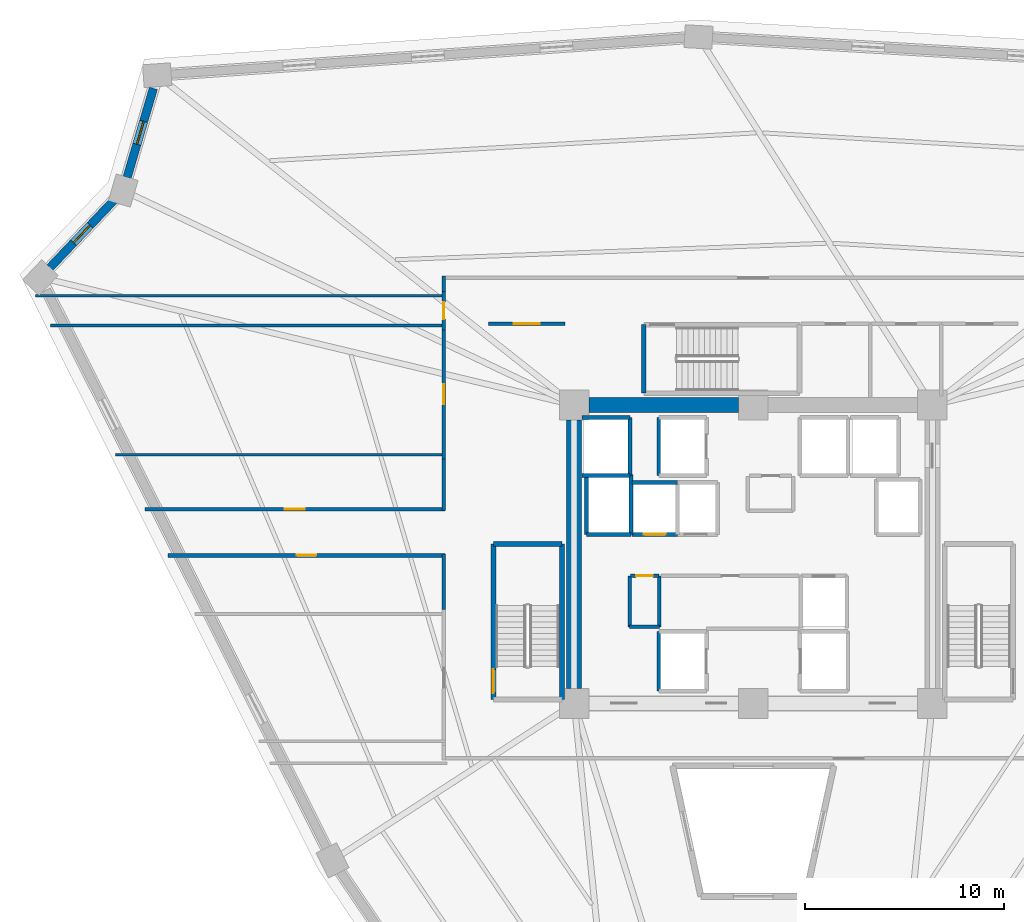
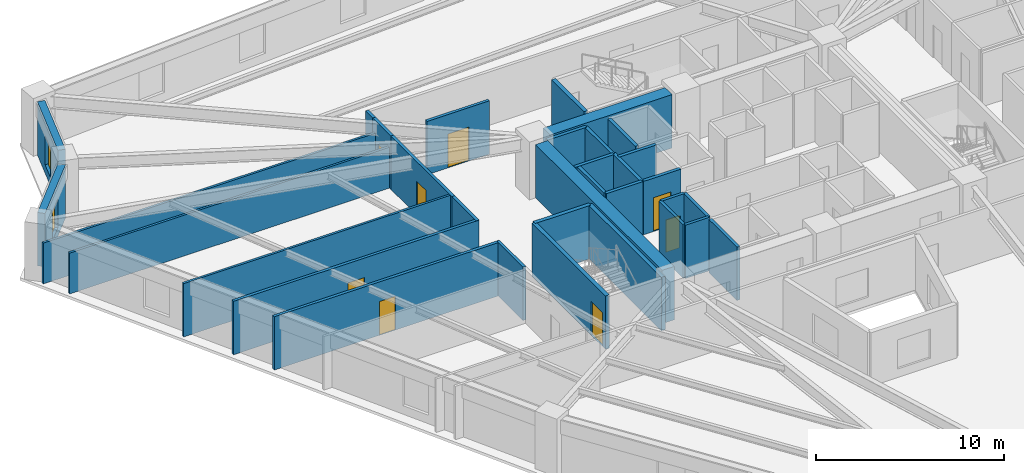
# One storey, part 4 of 8: 33 walls, 8 doors, 2 windows, 10 openings.
"""IFC4 building model written with IfcOpenShell, lengths in metres."""

import ifcopenshell
import ifcopenshell.guid

model = None  # the IFC model being written
_history = None  # IfcOwnerHistory: only IFC2X3 demands one
_inside = {}  # id of a spatial element -> (the spatial element, [elements in it])
_under = {}  # id of a project, library or spatial element -> (it, [spatial elements below it])
_declared = {}  # id of a project -> (the project, [libraries it declares])
_typed = {}  # id of a type object -> (the type object, [elements of that type])
_made_of = {}  # id of a material, layer set ... -> (it, [elements and type objects made of it])


def new_model(schema):
    """Start an empty IFC model of exactly this schema.

    Asked for "IFC4X3", IfcOpenShell would pick the latest addendum, in which some entities
    have other attributes; the version numbers below select the first issue.
    IFC2X3 requires an IfcOwnerHistory on every rooted entity: one is made here for all.
    """
    global model, _history
    if schema == "IFC4X3":
        model = ifcopenshell.file(schema_version=(4, 3, 0, 0))
    else:
        model = ifcopenshell.file(schema=schema)
    _inside.clear()
    _under.clear()
    _declared.clear()
    _typed.clear()
    _made_of.clear()
    _history = None
    if model.schema == "IFC2X3":
        org = make("IfcOrganization", Name="unknown")
        user = make(
            "IfcPersonAndOrganization",
            ThePerson=make("IfcPerson", FamilyName="unknown"),
            TheOrganization=org,
        )
        app = make(
            "IfcApplication",
            ApplicationDeveloper=org,
            Version="unknown",
            ApplicationFullName="unknown",
            ApplicationIdentifier="unknown",
        )
        _history = make(
            "IfcOwnerHistory",
            OwningUser=user,
            OwningApplication=app,
            ChangeAction="ADDED",
            CreationDate=0,
        )
    return model


def make(cls, **values):
    """One entity of the class cls with the attributes given. An attribute that is None is left unset."""
    return model.create_entity(
        cls, **{name: value for name, value in values.items() if value is not None}
    )


def rooted(cls, **values):
    """An entity with a GlobalId (a new one), such as an element, a storey or a relation."""
    return make(cls, GlobalId=ifcopenshell.guid.new(), OwnerHistory=_history, **values)


def si_unit(unit_type, name, prefix=None):
    """IfcSIUnit, for example si_unit("LENGTHUNIT", "METRE", prefix="MILLI")."""
    return make("IfcSIUnit", UnitType=unit_type, Prefix=prefix, Name=name)


def assignment(units):
    """IfcUnitAssignment: the units of a project."""
    return None if units is None else make("IfcUnitAssignment", Units=units)


def point(xyz):
    """IfcCartesianPoint."""
    return None if xyz is None else make("IfcCartesianPoint", Coordinates=xyz)


def direction(xyz):
    """IfcDirection."""
    return None if xyz is None else make("IfcDirection", DirectionRatios=xyz)


def frame(location, z_axis=None, x_axis=None):
    """IfcAxis2Placement3D, a coordinate frame: its origin and axes. An axis left out is left unset."""
    return make(
        "IfcAxis2Placement3D",
        Location=point(location),
        Axis=direction(z_axis),
        RefDirection=direction(x_axis),
    )


def frame_2d(location, x_axis=None):
    """IfcAxis2Placement2D, a coordinate frame in the plane: its origin and x axis."""
    return make(
        "IfcAxis2Placement2D", Location=point(location), RefDirection=direction(x_axis)
    )


def origin():
    """The frame at (0, 0, 0) with its axes left unset."""
    return frame((0.0, 0.0, 0.0))


def place(relative_to, where):
    """IfcLocalPlacement: puts the frame where relative to a parent placement (None: the world)."""
    return make(
        "IfcLocalPlacement", PlacementRelTo=relative_to, RelativePlacement=where
    )


def context(
    kind, dimensions, precision=None, world=None, true_north=None, identifier=None
):
    """IfcGeometricRepresentationContext, for example the 3D "Model" context."""
    return make(
        "IfcGeometricRepresentationContext",
        ContextIdentifier=identifier,
        ContextType=kind,
        CoordinateSpaceDimension=dimensions,
        Precision=precision,
        WorldCoordinateSystem=world,
        TrueNorth=true_north,
    )


def subcontext(parent, identifier, kind, view, scale=None):
    """IfcGeometricRepresentationSubContext, for example "Body" below "Model"."""
    return make(
        "IfcGeometricRepresentationSubContext",
        ContextIdentifier=identifier,
        ContextType=kind,
        ParentContext=parent,
        TargetScale=scale,
        TargetView=view,
    )


def project(units=None, contexts=None):
    """IfcProject with its units and contexts."""
    return rooted(
        "IfcProject",
        Name="project",
        RepresentationContexts=contexts,
        UnitsInContext=assignment(units),
    )


def spatial(cls, under=None, at=None, **own):
    """A site, building, storey or space (cls), placed at a placement, below another one or the project."""
    s = rooted(cls, ObjectPlacement=at, **own)
    if under is not None:
        _under.setdefault(under.id(), (under, []))[1].append(s)
    return s


def profile(cls, at=None, kind="AREA", **sizes):
    """A parametric profile (cls). Its sizes go by their IFC names, for example OverallWidth=200.0."""
    return make(cls, ProfileType=kind, Position=at, **sizes)


def rectangle(**sizes):
    """IfcRectangleProfileDef."""
    return profile("IfcRectangleProfileDef", **sizes)


def extrude(swept, where, along, depth):
    """IfcExtrudedAreaSolid: the profile swept, set in the frame where, extruded along a direction by depth."""
    return make(
        "IfcExtrudedAreaSolid",
        SweptArea=swept,
        Position=where,
        ExtrudedDirection=direction(along),
        Depth=depth,
    )


def shape(context_of_items, identifier, shape_type, items):
    """IfcShapeRepresentation: the items that make up one representation, for example the "Body"."""
    return make(
        "IfcShapeRepresentation",
        ContextOfItems=context_of_items,
        RepresentationIdentifier=identifier,
        RepresentationType=shape_type,
        Items=items,
    )


def source(mapping_origin, context_of_items, identifier, shape_type, items):
    """IfcRepresentationMap: a shape defined once, which mapped items show again and again."""
    return make(
        "IfcRepresentationMap",
        MappingOrigin=mapping_origin,
        MappedRepresentation=shape(context_of_items, identifier, shape_type, items),
    )


def transform(
    local_origin,
    x_axis=None,
    y_axis=None,
    z_axis=None,
    scale=None,
    scale2=None,
    scale3=None,
    uniform=True,
):
    """IfcCartesianTransformationOperator3D, or its non-uniform kind. x_axis, y_axis, z_axis: its Axis1, 2, 3."""
    if uniform:
        return make(
            "IfcCartesianTransformationOperator3D",
            Axis1=direction(x_axis),
            Axis2=direction(y_axis),
            LocalOrigin=point(local_origin),
            Scale=scale,
            Axis3=direction(z_axis),
        )
    return make(
        "IfcCartesianTransformationOperator3DnonUniform",
        Axis1=direction(x_axis),
        Axis2=direction(y_axis),
        LocalOrigin=point(local_origin),
        Scale=scale,
        Axis3=direction(z_axis),
        Scale2=scale2,
        Scale3=scale3,
    )


def mapped(mapping_source, mapping_target):
    """IfcMappedItem: shows the shape of a source again, moved by a transform."""
    return make(
        "IfcMappedItem", MappingSource=mapping_source, MappingTarget=mapping_target
    )


def material(Name=None, Category=None):
    """IfcMaterial."""
    return make("IfcMaterial", Name=Name, Category=Category)


def layer(
    of_material, thickness, ventilated=None, Name=None, Category=None, Priority=None
):
    """IfcMaterialLayer: one layer of a wall or slab, of a material (None: an air gap)."""
    return make(
        "IfcMaterialLayer",
        Material=of_material,
        LayerThickness=thickness,
        IsVentilated=ventilated,
        Name=Name,
        Category=Category,
        Priority=Priority,
    )


def layer_set(layers, Name=None):
    """IfcMaterialLayerSet."""
    return make("IfcMaterialLayerSet", MaterialLayers=layers, LayerSetName=Name)


def made_of(thing, what):
    """Note that an element or type object is made of a material, layer set ...; save() writes the relation."""
    if what is not None:
        _made_of.setdefault(what.id(), (what, []))[1].append(thing)
    return thing


def type_object(cls, material=None, **own):
    """A type object (cls), such as IfcWallType, which elements share."""
    return made_of(rooted(cls, **own), material)


def element(
    cls,
    number,
    at=None,
    inside=None,
    cuts=None,
    type_object=None,
    material=None,
    context=None,
    identifier="Body",
    shape_type=None,
    held_by="IfcProductDefinitionShape",
    body=None,
    shapes=None,
    **own,
):
    """One element of the class cls, such as IfcWall. Its Tag is "e" and its number.

    at: its placement. inside: the storey or other place that contains it. cuts: it is an
    opening in that element (IfcRelVoidsElement). A single representation is given by context,
    identifier, shape_type and body (its items); several are given by shapes. held_by: the class
    of the entity that holds the representations. save() writes the other relations.
    """
    e = rooted(cls, Tag="e%d" % number, ObjectPlacement=at, **own)
    if body is not None:
        shapes = [shape(context, identifier, shape_type, body)]
    if shapes is not None:
        e.Representation = make(held_by, Representations=shapes)
    if inside is not None:
        _inside.setdefault(inside.id(), (inside, []))[1].append(e)
    if cuts is not None:
        rooted(
            "IfcRelVoidsElement", RelatingBuildingElement=cuts, RelatedOpeningElement=e
        )
    if type_object is not None:
        _typed.setdefault(type_object.id(), (type_object, []))[1].append(e)
    return made_of(e, material)


def fill(opening, filler):
    """IfcRelFillsElement: the door or window that sits in an opening."""
    return rooted(
        "IfcRelFillsElement",
        RelatingOpeningElement=opening,
        RelatedBuildingElement=filler,
    )


def aggregate(whole, parts):
    """IfcRelAggregates: a whole, such as a stair, and the parts it consists of."""
    return rooted("IfcRelAggregates", RelatingObject=whole, RelatedObjects=parts)


def save(model, path):
    """Write the relations noted so far, then the file.

    IfcRelAggregates (storeys below a building ...), IfcRelContainedInSpatialStructure (elements
    in a storey), IfcRelDefinesByType, IfcRelAssociatesMaterial and IfcRelDeclares: one each for
    every whole, place, type object, material and project.
    """
    for whole, parts in _under.values():
        aggregate(whole, parts)
    for where, things in _inside.values():
        rooted(
            "IfcRelContainedInSpatialStructure",
            RelatedElements=things,
            RelatingStructure=where,
        )
    for kind, things in _typed.values():
        rooted("IfcRelDefinesByType", RelatedObjects=things, RelatingType=kind)
    for what, things in _made_of.values():
        rooted("IfcRelAssociatesMaterial", RelatedObjects=things, RelatingMaterial=what)
    for by, libraries in _declared.values():
        rooted("IfcRelDeclares", RelatingContext=by, RelatedDefinitions=libraries)
    model.write(path)


model = new_model("IFC4")

# Units and contexts
model_context = context("Model", 3, precision=1e-05, world=origin(), true_north=direction((0.0, 1.0)))
body_context = subcontext(model_context, "Body", "Model", "MODEL_VIEW")
ifc_project = project(units=[si_unit("LENGTHUNIT", "METRE"), si_unit("AREAUNIT", "SQUARE_METRE"), si_unit("VOLUMEUNIT", "CUBIC_METRE"), si_unit("PLANEANGLEUNIT", "RADIAN"), si_unit("MASSUNIT", "GRAM", prefix="KILO")], contexts=[model_context])

# Site, building, storey
site_placement = place(None, origin())
site = spatial("IfcSite", under=ifc_project, at=site_placement, CompositionType="ELEMENT")
building_placement = place(site_placement, origin())
building = spatial("IfcBuilding", under=site, at=building_placement, Name="Liaohun Quay Tower", CompositionType="ELEMENT")
storey_placement = place(building_placement, frame((0.0, 0.0, 135.75)))
storey = spatial("IfcBuildingStorey", under=building, at=storey_placement, Name="L35", CompositionType="ELEMENT", Elevation=135.75)

# Walls
ifc_material_1 = material(Name="Concrete C60", Category="concrete")
ifc_layer_1 = layer(ifc_material_1, 0.75, Name="Concrete C60", Category="concrete")
ifc_layer_set_1 = layer_set([ifc_layer_1], Name="Concrete C60")
wall_type_1 = type_object("IfcWallType", Name="WAL-COR-Z2", PredefinedType="SHEAR", material=ifc_layer_set_1)
wall_1_placement = place(storey_placement, frame((51.75, 61.5, 0.0), z_axis=(0.0, 0.0, 1.0), x_axis=(1.0, 0.0, 0.0)))
element("IfcWall", 1, at=wall_1_placement, inside=storey, type_object=wall_type_1, Name="L35 Central Core Shear Wall N-W", PredefinedType="SHEAR", context=body_context, shape_type="SweptSolid", body=[
    extrude(rectangle(XDim=7.5, YDim=0.75, at=frame_2d((3.75, 0.0))), origin(), (0.0, 0.0, 1.0), 3.469970703125),
])
wall_2_placement = place(storey_placement, frame((51.0, 47.25, 0.0), z_axis=(0.0, 0.0, 1.0), x_axis=(0.0, 1.0, 0.0)))
element("IfcWall", 2, at=wall_2_placement, inside=storey, type_object=wall_type_1, Name="L35 Central Core Shear Wall W", PredefinedType="SHEAR", context=body_context, shape_type="SweptSolid", body=[
    extrude(rectangle(XDim=13.5, YDim=0.75, at=frame_2d((6.75, 0.0))), origin(), (0.0, 0.0, 1.0), 3.469970703125),
])

# Wall, opening, window
ifc_material_2 = material(Name="Precast concrete C50 insulated sandwich", Category="concrete")
ifc_layer_2 = layer(ifc_material_2, 0.419921875, Name="Precast concrete C50 insulated sandwich", Category="concrete")
ifc_layer_set_2 = layer_set([ifc_layer_2], Name="Precast concrete C50 insulated sandwich")
wall_type_2 = type_object("IfcWallType", Name="WAL-EXT-Z12", PredefinedType="SOLIDWALL", material=ifc_layer_set_2)
wall_3_placement = place(storey_placement, frame((29.847900390625, 77.419921875, 0.0), z_axis=(0.0, 0.0, 1.0), x_axis=(-0.28289435884, -0.959151073469, 0.0)))
wall_3 = element("IfcWall", 3, at=wall_3_placement, inside=storey, type_object=wall_type_2, Name="L35 Brutalist Precast Pier Wall 08", PredefinedType="SOLIDWALL", context=body_context, shape_type="SweptSolid", body=[
    extrude(rectangle(XDim=4.66552734375, YDim=0.419921875, at=frame_2d((2.332763671875, 0.0))), origin(), (0.0, 0.0, 1.0), 3.469970703125),
])
shared_shape_1 = source(origin(), body_context, "Body", "SweptSolid", [
    extrude(rectangle(XDim=1.199951171875, YDim=1.89990234375, at=frame_2d((0.60009765625, 0.949951171875))), frame((0.0, 0.219970703125, 0.0), z_axis=(0.0, -1.0, 0.0), x_axis=(1.0, 0.0, 0.0)), (0.0, 0.0, 1.0), 0.43994140625),
])
opening_1_placement = place(wall_3_placement, frame((1.73291015625, 0.0, 0.550048828125)))
opening_1 = element("IfcOpeningElement", 4, at=opening_1_placement, cuts=wall_3, Name="Opening W05", PredefinedType="OPENING", context=body_context, shape_type="MappedRepresentation", body=[
    mapped(shared_shape_1, transform((0.0, 0.0, 0.0), x_axis=(1.0, 0.0, 0.0), y_axis=(0.0, 1.0, 0.0), z_axis=(0.0, 0.0, 1.0), scale=1.0)),
])
ifc_material_3 = material(Name="Triple Low-E corner notch glazing", Category="glass")
window_type = type_object("IfcWindowType", Name="WIN-NOTCH", PartitioningType="SINGLE_PANEL", PredefinedType="WINDOW", material=ifc_material_3)
shared_shape_2 = source(origin(), body_context, "Body", "SweptSolid", [
    extrude(rectangle(XDim=1.199951171875, YDim=1.89990234375, at=frame_2d((0.60009765625, 0.949951171875))), frame((0.0, 0.030029296875, 0.0), z_axis=(0.0, -1.0, 0.0), x_axis=(1.0, 0.0, 0.0)), (0.0, 0.0, 1.0), 0.06005859375),
])
window_1_placement = place(opening_1_placement, origin())
window_1 = element("IfcWindow", 5, at=window_1_placement, inside=storey, type_object=window_type, Name="L35 Corner Notch Window W05-08", OverallHeight=1.89990234375, OverallWidth=1.199951171875, PartitioningType="SINGLE_PANEL", PredefinedType="WINDOW", context=body_context, shape_type="MappedRepresentation", body=[
    mapped(shared_shape_2, transform((0.0, 0.0, 0.0), x_axis=(1.0, 0.0, 0.0), y_axis=(0.0, 1.0, 0.0), z_axis=(0.0, 0.0, 1.0), scale=1.0)),
])
fill(opening_1, window_1)

wall_4_placement = place(storey_placement, frame((27.85693359375, 71.782958984375, 0.0), z_axis=(0.0, 0.0, 1.0), x_axis=(-0.689272835026, -0.72450186949, 0.0)))
wall_4 = element("IfcWall", 6, at=wall_4_placement, inside=storey, type_object=wall_type_2, Name="L35 Brutalist Precast Pier Wall 09", PredefinedType="SOLIDWALL", context=body_context, shape_type="SweptSolid", body=[
    extrude(rectangle(XDim=4.656982421875, YDim=0.419921875, at=frame_2d((2.32861328125, 0.0))), origin(), (0.0, 0.0, 1.0), 3.469970703125),
])
opening_2_placement = place(wall_4_placement, frame((1.72900390625, 0.0, 0.550048828125)))
opening_2 = element("IfcOpeningElement", 7, at=opening_2_placement, cuts=wall_4, Name="Opening W05", PredefinedType="OPENING", context=body_context, shape_type="MappedRepresentation", body=[
    mapped(shared_shape_1, transform((0.0, 0.0, 0.0), x_axis=(1.0, 0.0, 0.0), y_axis=(0.0, 1.0, 0.0), z_axis=(0.0, 0.0, 1.0), scale=1.0)),
])
window_2_placement = place(opening_2_placement, origin())
window_2 = element("IfcWindow", 8, at=window_2_placement, inside=storey, type_object=window_type, Name="L35 Corner Notch Window W05-09", OverallHeight=1.89990234375, OverallWidth=1.199951171875, PartitioningType="SINGLE_PANEL", PredefinedType="WINDOW", context=body_context, shape_type="MappedRepresentation", body=[
    mapped(shared_shape_2, transform((0.0, 0.0, 0.0), x_axis=(1.0, 0.0, 0.0), y_axis=(0.0, 1.0, 0.0), z_axis=(0.0, 0.0, 1.0), scale=1.0)),
])
fill(opening_2, window_2)

# Wall, opening, door
ifc_material_4 = material(Name="Autoclaved aerated concrete blockwork", Category="masonry")
ifc_layer_3 = layer(ifc_material_4, 0.179931640625, Name="Autoclaved aerated concrete blockwork", Category="masonry")
ifc_layer_set_3 = layer_set([ifc_layer_3], Name="Autoclaved aerated concrete blockwork")
wall_type_3 = type_object("IfcWallType", Name="WAL-PRT-COR", PredefinedType="PARTITIONING", material=ifc_layer_set_3)
wall_5_placement = place(storey_placement, frame((53.820068359375, 52.919921875, 0.0), z_axis=(0.0, 0.0, 1.0), x_axis=(1.0, 0.0, 0.0)))
wall_5 = element("IfcWall", 9, at=wall_5_placement, inside=storey, type_object=wall_type_3, Name="L35 Interior Partition Wall 003", PredefinedType="PARTITIONING", context=body_context, shape_type="SweptSolid", body=[
    extrude(rectangle(XDim=1.429931640625, YDim=0.179931640625, at=frame_2d((0.71484375, 0.0))), origin(), (0.0, 0.0, 1.0), 3.469970703125),
])
shared_shape_3 = source(origin(), body_context, "Body", "SweptSolid", [
    extrude(rectangle(XDim=0.85009765625, YDim=2.10009765625, at=frame_2d((0.425048828125, 1.050048828125))), frame((0.0, 0.099853515625, 0.0), z_axis=(0.0, -1.0, 0.0), x_axis=(1.0, 0.0, 0.0)), (0.0, 0.0, 1.0), 0.199951171875),
])
opening_3_placement = place(wall_5_placement, frame((0.2900390625, 0.0, 0.0)))
opening_3 = element("IfcOpeningElement", 10, at=opening_3_placement, cuts=wall_5, Name="Opening AD1", PredefinedType="OPENING", context=body_context, shape_type="MappedRepresentation", body=[
    mapped(shared_shape_3, transform((0.0, 0.0, 0.0), x_axis=(1.0, 0.0, 0.0), y_axis=(0.0, 1.0, 0.0), z_axis=(0.0, 0.0, 1.0), scale=1.0)),
])
ifc_material_5 = material(Name="Steel riser inspection fire door", Category="steel")
door_type_1 = type_object("IfcDoorType", Name="DOR-SHF-850", OperationType="NOTDEFINED", PredefinedType="DOOR", material=ifc_material_5)
shared_shape_4 = source(origin(), body_context, "Body", "SweptSolid", [
    extrude(rectangle(XDim=0.85009765625, YDim=2.10009765625, at=frame_2d((0.425048828125, 1.050048828125))), frame((0.0, 0.02490234375, 0.0), z_axis=(0.0, -1.0, 0.0), x_axis=(1.0, 0.0, 0.0)), (0.0, 0.0, 1.0), 0.050048828125),
])
door_1_placement = place(opening_3_placement, origin())
door_1 = element("IfcDoor", 11, at=door_1_placement, inside=storey, type_object=door_type_1, Name="L35 Mechanical Smoke Duct Room Door", OperationType="SINGLE_SWING_LEFT", OverallHeight=2.10009765625, OverallWidth=0.85009765625, PredefinedType="DOOR", context=body_context, shape_type="MappedRepresentation", body=[
    mapped(shared_shape_4, transform((0.0, 0.0, 0.0), x_axis=(1.0, 0.0, 0.0), y_axis=(0.0, 1.0, 0.0), z_axis=(0.0, 0.0, 1.0), scale=1.0)),
])
fill(opening_3, door_1)

wall_6_placement = place(storey_placement, frame((46.699951171875, 65.580078125, 0.0), z_axis=(0.0, 0.0, 1.0), x_axis=(1.0, 0.0, 0.0)))
wall_6 = element("IfcWall", 12, at=wall_6_placement, inside=storey, type_object=wall_type_3, Name="L35 Interior Partition Wall 009", PredefinedType="PARTITIONING", context=body_context, shape_type="SweptSolid", body=[
    extrude(rectangle(XDim=3.840087890625, YDim=0.179931640625, at=frame_2d((1.919921875, 0.0))), origin(), (0.0, 0.0, 1.0), 3.469970703125),
])
shared_shape_5 = source(origin(), body_context, "Body", "SweptSolid", [
    extrude(rectangle(XDim=1.300048828125, YDim=2.199951171875, at=frame_2d((0.64990234375, 1.10009765625))), frame((0.0, 0.099853515625, 0.0), z_axis=(0.0, -1.0, 0.0), x_axis=(1.0, 0.0, 0.0)), (0.0, 0.0, 1.0), 0.199951171875),
])
opening_4_placement = place(wall_6_placement, frame((1.27001953125, 0.0, 0.0)))
opening_4 = element("IfcOpeningElement", 13, at=opening_4_placement, cuts=wall_6, Name="Opening FD1", PredefinedType="OPENING", context=body_context, shape_type="MappedRepresentation", body=[
    mapped(shared_shape_5, transform((0.0, 0.0, 0.0), x_axis=(1.0, 0.0, 0.0), y_axis=(0.0, 1.0, 0.0), z_axis=(0.0, 0.0, 1.0), scale=1.0)),
])
ifc_material_6 = material(Name="Galvanised steel smokeproof fire door", Category="steel")
door_type_2 = type_object("IfcDoorType", Name="DOR-FFL-1300", OperationType="NOTDEFINED", PredefinedType="DOOR", material=ifc_material_6)
shared_shape_6 = source(origin(), body_context, "Body", "SweptSolid", [
    extrude(rectangle(XDim=1.300048828125, YDim=2.199951171875, at=frame_2d((0.64990234375, 1.10009765625))), frame((0.0, 0.02490234375, 0.0), z_axis=(0.0, -1.0, 0.0), x_axis=(1.0, 0.0, 0.0)), (0.0, 0.0, 1.0), 0.050048828125),
])
door_2_placement = place(opening_4_placement, origin())
door_2 = element("IfcDoor", 14, at=door_2_placement, inside=storey, type_object=door_type_2, Name="L35 West Core Vestibule Door", OperationType="SINGLE_SWING_LEFT", OverallHeight=2.199951171875, OverallWidth=1.300048828125, PredefinedType="DOOR", context=body_context, shape_type="MappedRepresentation", body=[
    mapped(shared_shape_6, transform((0.0, 0.0, 0.0), x_axis=(1.0, 0.0, 0.0), y_axis=(0.0, 1.0, 0.0), z_axis=(0.0, 0.0, 1.0), scale=1.0)),
])
fill(opening_4, door_2)

wall_7_placement = place(storey_placement, frame((44.43994140625, 65.284912109375, 0.0), z_axis=(0.0, 0.0, 1.0), x_axis=(0.0, 1.0, 0.0)))
wall_7 = element("IfcWall", 15, at=wall_7_placement, inside=storey, type_object=wall_type_3, Name="L35 Interior Partition Wall 013", PredefinedType="PARTITIONING", context=body_context, shape_type="SweptSolid", body=[
    extrude(rectangle(XDim=1.93017578125, YDim=0.179931640625, at=frame_2d((0.965087890625, 0.0))), origin(), (0.0, 0.0, 1.0), 3.469970703125),
])
opening_5_placement = place(wall_7_placement, frame((0.5400390625, 0.0, 0.0)))
opening_5 = element("IfcOpeningElement", 16, at=opening_5_placement, cuts=wall_7, Name="Opening AD1", PredefinedType="OPENING", context=body_context, shape_type="MappedRepresentation", body=[
    mapped(shared_shape_3, transform((0.0, 0.0, 0.0), x_axis=(1.0, 0.0, 0.0), y_axis=(0.0, 1.0, 0.0), z_axis=(0.0, 0.0, 1.0), scale=1.0)),
])
door_3_placement = place(opening_5_placement, origin())
door_3 = element("IfcDoor", 17, at=door_3_placement, inside=storey, type_object=door_type_1, Name="L35 Technical Reference Library 03 Door", OperationType="SINGLE_SWING_LEFT", OverallHeight=2.10009765625, OverallWidth=0.85009765625, PredefinedType="DOOR", context=body_context, shape_type="MappedRepresentation", body=[
    mapped(shared_shape_4, transform((0.0, 0.0, 0.0), x_axis=(1.0, 0.0, 0.0), y_axis=(0.0, 1.0, 0.0), z_axis=(0.0, 0.0, 1.0), scale=1.0)),
])
fill(opening_5, door_3)

wall_8_placement = place(storey_placement, frame((44.43994140625, 58.784912109375, 0.0), z_axis=(0.0, 0.0, 1.0), x_axis=(0.0, 1.0, 0.0)))
wall_8 = element("IfcWall", 18, at=wall_8_placement, inside=storey, type_object=wall_type_3, Name="L35 Interior Partition Wall 014", PredefinedType="PARTITIONING", context=body_context, shape_type="SweptSolid", body=[
    extrude(rectangle(XDim=6.5, YDim=0.179931640625, at=frame_2d((3.25, 0.0))), origin(), (0.0, 0.0, 1.0), 3.469970703125),
])
shared_shape_7 = source(origin(), body_context, "Body", "SweptSolid", [
    extrude(rectangle(XDim=1.0, YDim=2.199951171875, at=frame_2d((0.5, 1.10009765625))), frame((0.0, 0.099853515625, 0.0), z_axis=(0.0, -1.0, 0.0), x_axis=(1.0, 0.0, 0.0)), (0.0, 0.0, 1.0), 0.199951171875),
])
opening_6_placement = place(wall_8_placement, frame((2.75, 0.0, 0.0)))
opening_6 = element("IfcOpeningElement", 19, at=opening_6_placement, cuts=wall_8, Name="Opening OD1", PredefinedType="OPENING", context=body_context, shape_type="MappedRepresentation", body=[
    mapped(shared_shape_7, transform((0.0, 0.0, 0.0), x_axis=(1.0, 0.0, 0.0), y_axis=(0.0, 1.0, 0.0), z_axis=(0.0, 0.0, 1.0), scale=1.0)),
])
ifc_material_7 = material(Name="Solid-core oak veneer timber leaf in steel frame", Category="steel")
door_type_3 = type_object("IfcDoorType", Name="DOR-OFF-1000", OperationType="NOTDEFINED", PredefinedType="DOOR", material=ifc_material_7)
shared_shape_8 = source(origin(), body_context, "Body", "SweptSolid", [
    extrude(rectangle(XDim=1.0, YDim=2.199951171875, at=frame_2d((0.5, 1.10009765625))), frame((0.0, 0.02490234375, 0.0), z_axis=(0.0, -1.0, 0.0), x_axis=(1.0, 0.0, 0.0)), (0.0, 0.0, 1.0), 0.050048828125),
])
door_4_placement = place(opening_6_placement, origin())
door_4 = element("IfcDoor", 20, at=door_4_placement, inside=storey, type_object=door_type_3, Name="L35 Project Collaboration Studio 04 Door", OperationType="SINGLE_SWING_RIGHT", OverallHeight=2.199951171875, OverallWidth=1.0, PredefinedType="DOOR", context=body_context, shape_type="MappedRepresentation", body=[
    mapped(shared_shape_8, transform((0.0, 0.0, 0.0), x_axis=(1.0, 0.0, 0.0), y_axis=(0.0, 1.0, 0.0), z_axis=(0.0, 0.0, 1.0), scale=1.0)),
])
fill(opening_6, door_4)

wall_9_placement = place(storey_placement, frame((29.4140625, 56.260009765625, 0.0), z_axis=(0.0, 0.0, 1.0), x_axis=(1.0, 0.0, 0.0)))
wall_9 = element("IfcWall", 21, at=wall_9_placement, inside=storey, type_object=wall_type_3, Name="L35 Interior Partition Wall 015", PredefinedType="PARTITIONING", context=body_context, shape_type="SweptSolid", body=[
    extrude(rectangle(XDim=15.095947265625, YDim=0.179931640625, at=frame_2d((7.5478515625, 0.0))), origin(), (0.0, 0.0, 1.0), 3.469970703125),
])
opening_7_placement = place(wall_9_placement, frame((7.048095703125, 0.0, 0.0)))
opening_7 = element("IfcOpeningElement", 22, at=opening_7_placement, cuts=wall_9, Name="Opening OD1", PredefinedType="OPENING", context=body_context, shape_type="MappedRepresentation", body=[
    mapped(shared_shape_7, transform((0.0, 0.0, 0.0), x_axis=(1.0, 0.0, 0.0), y_axis=(0.0, 1.0, 0.0), z_axis=(0.0, 0.0, 1.0), scale=1.0)),
])
door_5_placement = place(opening_7_placement, origin())
door_5 = element("IfcDoor", 23, at=door_5_placement, inside=storey, type_object=door_type_3, Name="L35 Engineering Model Workshop 05 Door", OperationType="SINGLE_SWING_LEFT", OverallHeight=2.199951171875, OverallWidth=1.0, PredefinedType="DOOR", context=body_context, shape_type="MappedRepresentation", body=[
    mapped(shared_shape_8, transform((0.0, 0.0, 0.0), x_axis=(1.0, 0.0, 0.0), y_axis=(0.0, 1.0, 0.0), z_axis=(0.0, 0.0, 1.0), scale=1.0)),
])
fill(opening_7, door_5)

wall_10_placement = place(storey_placement, frame((44.510009765625, 53.93994140625, 0.0), z_axis=(0.0, 0.0, 1.0), x_axis=(-1.0, 0.0, 0.0)))
wall_10 = element("IfcWall", 24, at=wall_10_placement, inside=storey, type_object=wall_type_3, Name="L35 Interior Partition Wall 016", PredefinedType="PARTITIONING", context=body_context, shape_type="SweptSolid", body=[
    extrude(rectangle(XDim=13.93310546875, YDim=0.179931640625, at=frame_2d((6.966552734375, 0.0))), origin(), (0.0, 0.0, 1.0), 3.469970703125),
])
opening_8_placement = place(wall_10_placement, frame((6.466064453125, 0.0, 0.0)))
opening_8 = element("IfcOpeningElement", 25, at=opening_8_placement, cuts=wall_10, Name="Opening OD1", PredefinedType="OPENING", context=body_context, shape_type="MappedRepresentation", body=[
    mapped(shared_shape_7, transform((0.0, 0.0, 0.0), x_axis=(1.0, 0.0, 0.0), y_axis=(0.0, 1.0, 0.0), z_axis=(0.0, 0.0, 1.0), scale=1.0)),
])
door_6_placement = place(opening_8_placement, origin())
door_6 = element("IfcDoor", 26, at=door_6_placement, inside=storey, type_object=door_type_3, Name="L35 Staff Tea Kitchen and Pantry 06 Door", OperationType="SINGLE_SWING_RIGHT", OverallHeight=2.199951171875, OverallWidth=1.0, PredefinedType="DOOR", context=body_context, shape_type="MappedRepresentation", body=[
    mapped(shared_shape_8, transform((0.0, 0.0, 0.0), x_axis=(1.0, 0.0, 0.0), y_axis=(0.0, 1.0, 0.0), z_axis=(0.0, 0.0, 1.0), scale=1.0)),
])
fill(opening_8, door_6)

# Walls
wall_11_placement = place(storey_placement, frame((53.7900390625, 50.35009765625, 0.0), z_axis=(0.0, 0.0, 1.0), x_axis=(0.0, 1.0, 0.0)))
element("IfcWall", 27, at=wall_11_placement, inside=storey, type_object=wall_type_3, Name="L35 Interior Partition Wall 024", PredefinedType="PARTITIONING", context=body_context, shape_type="SweptSolid", body=[
    extrude(rectangle(XDim=2.56982421875, YDim=0.179931640625, at=frame_2d((1.284912109375, 0.0))), origin(), (0.0, 0.0, 1.0), 3.469970703125),
])
wall_12_placement = place(storey_placement, frame((53.7900390625, 50.35009765625, 0.0), z_axis=(0.0, 0.0, 1.0), x_axis=(1.0, 0.0, 0.0)))
element("IfcWall", 28, at=wall_12_placement, inside=storey, type_object=wall_type_3, Name="L35 Interior Partition Wall 025", PredefinedType="PARTITIONING", context=body_context, shape_type="SweptSolid", body=[
    extrude(rectangle(XDim=1.489990234375, YDim=0.179931640625, at=frame_2d((0.7451171875, 0.0))), origin(), (0.0, 0.0, 1.0), 3.469970703125),
])
wall_13_placement = place(storey_placement, frame((55.280029296875, 50.35009765625, 0.0), z_axis=(0.0, 0.0, 1.0), x_axis=(0.0, 1.0, 0.0)))
element("IfcWall", 29, at=wall_13_placement, inside=storey, type_object=wall_type_3, Name="L35 Interior Partition Wall 026", PredefinedType="PARTITIONING", context=body_context, shape_type="SweptSolid", body=[
    extrude(rectangle(XDim=2.56982421875, YDim=0.179931640625, at=frame_2d((1.284912109375, 0.0))), origin(), (0.0, 0.0, 1.0), 3.469970703125),
])
wall_14_placement = place(storey_placement, frame((44.43994140625, 67.215087890625, 0.0), z_axis=(0.0, 0.0, 1.0), x_axis=(0.0, 1.0, 0.0)))
element("IfcWall", 30, at=wall_14_placement, inside=storey, type_object=wall_type_3, Name="L35 Interior Partition Wall 035", PredefinedType="PARTITIONING", context=body_context, shape_type="SweptSolid", body=[
    extrude(rectangle(XDim=0.764892578125, YDim=0.179931640625, at=frame_2d((0.38232421875, 0.0))), origin(), (0.0, 0.0, 1.0), 3.469970703125),
])
wall_15_placement = place(storey_placement, frame((44.43994140625, 56.18994140625, 0.0), z_axis=(0.0, 0.0, 1.0), x_axis=(0.0, 1.0, 0.0)))
element("IfcWall", 31, at=wall_15_placement, inside=storey, type_object=wall_type_3, Name="L35 Interior Partition Wall 037", PredefinedType="PARTITIONING", context=body_context, shape_type="SweptSolid", body=[
    extrude(rectangle(XDim=2.594970703125, YDim=0.179931640625, at=frame_2d((1.29736328125, 0.0))), origin(), (0.0, 0.0, 1.0), 3.469970703125),
])
wall_16_placement = place(storey_placement, frame((44.43994140625, 51.215087890625, 0.0), z_axis=(0.0, 0.0, 1.0), x_axis=(0.0, 1.0, 0.0)))
element("IfcWall", 32, at=wall_16_placement, inside=storey, type_object=wall_type_3, Name="L35 Interior Partition Wall 038", PredefinedType="PARTITIONING", context=body_context, shape_type="SweptSolid", body=[
    extrude(rectangle(XDim=2.794921875, YDim=0.179931640625, at=frame_2d((1.3974609375, 0.0))), origin(), (0.0, 0.0, 1.0), 3.469970703125),
])
ifc_material_8 = material(Name="Gypsum board on twin steel studs", Category="steel")
ifc_layer_4 = layer(ifc_material_8, 0.139892578125, Name="Gypsum board on twin steel studs", Category="steel")
ifc_layer_set_4 = layer_set([ifc_layer_4], Name="Gypsum board on twin steel studs")
wall_type_4 = type_object("IfcWallType", Name="WAL-PRT-OFF", PredefinedType="PARTITIONING", material=ifc_layer_set_4)
wall_17_placement = place(storey_placement, frame((44.5400390625, 59.0, 0.0), z_axis=(0.0, 0.0, 1.0), x_axis=(-1.0, 0.0, 0.0)))
element("IfcWall", 33, at=wall_17_placement, inside=storey, type_object=wall_type_4, Name="L35 Interior Partition Wall 045", PredefinedType="PARTITIONING", context=body_context, shape_type="SweptSolid", body=[
    extrude(rectangle(XDim=16.608154296875, YDim=0.139892578125, at=frame_2d((8.30419921875, 0.0))), origin(), (0.0, 0.0, 1.0), 3.469970703125),
])
wall_18_placement = place(storey_placement, frame((44.5400390625, 65.5, 0.0), z_axis=(0.0, 0.0, 1.0), x_axis=(-1.0, 0.0, 0.0)))
element("IfcWall", 34, at=wall_18_placement, inside=storey, type_object=wall_type_4, Name="L35 Interior Partition Wall 046", PredefinedType="PARTITIONING", context=body_context, shape_type="SweptSolid", body=[
    extrude(rectangle(XDim=19.866943359375, YDim=0.139892578125, at=frame_2d((9.93359375, 0.0))), origin(), (0.0, 0.0, 1.0), 2.655029296875),
])
wall_19_placement = place(storey_placement, frame((44.5400390625, 67.0, 0.0), z_axis=(0.0, 0.0, 1.0), x_axis=(-1.0, 0.0, 0.0)))
element("IfcWall", 35, at=wall_19_placement, inside=storey, type_object=wall_type_4, Name="L35 Interior Partition Wall 047", PredefinedType="PARTITIONING", context=body_context, shape_type="SweptSolid", body=[
    extrude(rectangle(XDim=20.619140625, YDim=0.139892578125, at=frame_2d((10.3095703125, 0.0))), origin(), (0.0, 0.0, 1.0), 2.655029296875),
])
ifc_material_9 = material(Name="Concrete C50", Category="concrete")
ifc_layer_5 = layer(ifc_material_9, 0.239990234375, Name="Concrete C50", Category="concrete")
ifc_layer_set_5 = layer_set([ifc_layer_5], Name="Concrete C50")
wall_type_5 = type_object("IfcWallType", Name="WAL-SHF-200", PredefinedType="SOLIDWALL", material=ifc_layer_set_5)
wall_20_placement = place(storey_placement, frame((50.3798828125, 46.699951171875, 0.0), z_axis=(0.0, 0.0, 1.0), x_axis=(0.0, 1.0, 0.0)))
element("IfcWall", 36, at=wall_20_placement, inside=storey, type_object=wall_type_5, Name="L35 Stairwell ST-1 Structural Core Wall E", PredefinedType="SOLIDWALL", context=body_context, shape_type="SweptSolid", body=[
    extrude(rectangle(XDim=7.820068359375, YDim=0.239990234375, at=frame_2d((3.91015625, 0.0))), origin(), (0.0, 0.0, 1.0), 3.469970703125),
])
wall_21_placement = place(storey_placement, frame((50.3798828125, 54.52001953125, 0.0), z_axis=(0.0, 0.0, 1.0), x_axis=(-1.0, 0.0, 0.0)))
element("IfcWall", 37, at=wall_21_placement, inside=storey, type_object=wall_type_5, Name="L35 Stairwell ST-1 Structural Core Wall N", PredefinedType="SOLIDWALL", context=body_context, shape_type="SweptSolid", body=[
    extrude(rectangle(XDim=3.43994140625, YDim=0.239990234375, at=frame_2d((1.719970703125, 0.0))), origin(), (0.0, 0.0, 1.0), 3.469970703125),
])

# Wall, opening, door
wall_22_placement = place(storey_placement, frame((46.93994140625, 54.52001953125, 0.0), z_axis=(0.0, 0.0, 1.0), x_axis=(0.0, -1.0, 0.0)))
wall_22 = element("IfcWall", 38, at=wall_22_placement, inside=storey, type_object=wall_type_5, Name="L35 Stairwell ST-1 Structural Core Wall W", PredefinedType="SOLIDWALL", context=body_context, shape_type="SweptSolid", body=[
    extrude(rectangle(XDim=7.820068359375, YDim=0.239990234375, at=frame_2d((3.91015625, 0.0))), origin(), (0.0, 0.0, 1.0), 3.469970703125),
])
shared_shape_9 = source(origin(), body_context, "Body", "SweptSolid", [
    extrude(rectangle(XDim=1.199951171875, YDim=2.199951171875, at=frame_2d((0.60009765625, 1.10009765625))), frame((0.0, 0.1298828125, 0.0), z_axis=(0.0, -1.0, 0.0), x_axis=(1.0, 0.0, 0.0)), (0.0, 0.0, 1.0), 0.260009765625),
])
opening_9_placement = place(wall_22_placement, frame((6.300048828125, 0.0, 0.0)))
opening_9 = element("IfcOpeningElement", 39, at=opening_9_placement, cuts=wall_22, Name="Opening SD1", PredefinedType="OPENING", context=body_context, shape_type="MappedRepresentation", body=[
    mapped(shared_shape_9, transform((0.0, 0.0, 0.0), x_axis=(1.0, 0.0, 0.0), y_axis=(0.0, 1.0, 0.0), z_axis=(0.0, 0.0, 1.0), scale=1.0)),
])
ifc_material_10 = material(Name="Galvanised steel fire door", Category="steel")
door_type_4 = type_object("IfcDoorType", Name="DOR-STR-1200", OperationType="NOTDEFINED", PredefinedType="DOOR", material=ifc_material_10)
shared_shape_10 = source(origin(), body_context, "Body", "SweptSolid", [
    extrude(rectangle(XDim=1.199951171875, YDim=2.199951171875, at=frame_2d((0.60009765625, 1.10009765625))), frame((0.0, 0.02490234375, 0.0), z_axis=(0.0, -1.0, 0.0), x_axis=(1.0, 0.0, 0.0)), (0.0, 0.0, 1.0), 0.050048828125),
])
door_7_placement = place(opening_9_placement, origin())
door_7 = element("IfcDoor", 40, at=door_7_placement, inside=storey, type_object=door_type_4, Name="L35 Protected Stair ST-1 Fire Door", OperationType="SINGLE_SWING_LEFT", OverallHeight=2.199951171875, OverallWidth=1.199951171875, PredefinedType="DOOR", context=body_context, shape_type="MappedRepresentation", body=[
    mapped(shared_shape_10, transform((0.0, 0.0, 0.0), x_axis=(1.0, 0.0, 0.0), y_axis=(0.0, 1.0, 0.0), z_axis=(0.0, 0.0, 1.0), scale=1.0)),
])
fill(opening_9, door_7)

# Walls
wall_23_placement = place(storey_placement, frame((54.5, 65.5400390625, 0.0), z_axis=(0.0, 0.0, 1.0), x_axis=(0.0, -1.0, 0.0)))
element("IfcWall", 41, at=wall_23_placement, inside=storey, type_object=wall_type_5, Name="L35 Stairwell ST-3 Structural Core Wall W", PredefinedType="SOLIDWALL", context=body_context, shape_type="SweptSolid", body=[
    extrude(rectangle(XDim=3.43994140625, YDim=0.239990234375, at=frame_2d((1.719970703125, 0.0))), origin(), (0.0, 0.0, 1.0), 3.469970703125),
])
wall_24_placement = place(storey_placement, frame((55.25, 50.1201171875, 0.0), z_axis=(0.0, 0.0, 1.0), x_axis=(0.0, -1.0, 0.0)))
element("IfcWall", 42, at=wall_24_placement, inside=storey, type_object=wall_type_5, Name="L35 Lift FF-01 Hoistway Wall W", PredefinedType="SOLIDWALL", context=body_context, shape_type="SweptSolid", body=[
    extrude(rectangle(XDim=3.0, YDim=0.199951171875, at=frame_2d((1.5, 0.0))), origin(), (0.0, 0.0, 1.0), 3.469970703125),
])
wall_25_placement = place(storey_placement, frame((55.25, 60.8798828125, 0.0), z_axis=(0.0, 0.0, 1.0), x_axis=(0.0, -1.0, 0.0)))
element("IfcWall", 43, at=wall_25_placement, inside=storey, type_object=wall_type_5, Name="L35 Lift FF-03 Hoistway Wall W", PredefinedType="SOLIDWALL", context=body_context, shape_type="SweptSolid", body=[
    extrude(rectangle(XDim=2.929931640625, YDim=0.199951171875, at=frame_2d((1.46484375, 0.0))), origin(), (0.0, 0.0, 1.0), 3.469970703125),
])
wall_26_placement = place(storey_placement, frame((51.39990234375, 57.949951171875, 0.0), z_axis=(0.0, 0.0, 1.0), x_axis=(1.0, 0.0, 0.0)))
element("IfcWall", 44, at=wall_26_placement, inside=storey, type_object=wall_type_5, Name="L35 Lift SH-01 Hoistway Wall S", PredefinedType="SOLIDWALL", context=body_context, shape_type="SweptSolid", body=[
    extrude(rectangle(XDim=2.400146484375, YDim=0.199951171875, at=frame_2d((1.2001953125, 0.0))), origin(), (0.0, 0.0, 1.0), 3.469970703125),
])
wall_27_placement = place(storey_placement, frame((53.800048828125, 57.949951171875, 0.0), z_axis=(0.0, 0.0, 1.0), x_axis=(0.0, 1.0, 0.0)))
element("IfcWall", 45, at=wall_27_placement, inside=storey, type_object=wall_type_5, Name="L35 Lift SH-01 Hoistway Wall E", PredefinedType="SOLIDWALL", context=body_context, shape_type="SweptSolid", body=[
    extrude(rectangle(XDim=2.929931640625, YDim=0.199951171875, at=frame_2d((1.46484375, 0.0))), origin(), (0.0, 0.0, 1.0), 3.469970703125),
])
wall_28_placement = place(storey_placement, frame((53.800048828125, 60.8798828125, 0.0), z_axis=(0.0, 0.0, 1.0), x_axis=(-1.0, 0.0, 0.0)))
element("IfcWall", 46, at=wall_28_placement, inside=storey, type_object=wall_type_5, Name="L35 Lift SH-01 Hoistway Wall N", PredefinedType="SOLIDWALL", context=body_context, shape_type="SweptSolid", body=[
    extrude(rectangle(XDim=2.400146484375, YDim=0.199951171875, at=frame_2d((1.2001953125, 0.0))), origin(), (0.0, 0.0, 1.0), 3.469970703125),
])
wall_29_placement = place(storey_placement, frame((51.6201171875, 55.0, 0.0), z_axis=(0.0, 0.0, 1.0), x_axis=(1.0, 0.0, 0.0)))
element("IfcWall", 47, at=wall_29_placement, inside=storey, type_object=wall_type_5, Name="L35 Lift SH-02 Hoistway Wall S", PredefinedType="SOLIDWALL", context=body_context, shape_type="SweptSolid", body=[
    extrude(rectangle(XDim=2.22998046875, YDim=0.199951171875, at=frame_2d((1.114990234375, 0.0))), origin(), (0.0, 0.0, 1.0), 3.469970703125),
])
for number, where, z_axis, x_axis, name in (
    (48, (53.85009765625, 55.0, 0.0), (0.0, 0.0, 1.0), (0.0, 1.0, 0.0), "L35 Lift SH-02 Hoistway Wall E"),
    (49, (51.6201171875, 58.0, 0.0), (0.0, 0.0, 1.0), (0.0, -1.0, 0.0), "L35 Lift SH-02 Hoistway Wall W"),
):
    element("IfcWall", number, at=place(storey_placement, frame(where, z_axis=z_axis, x_axis=x_axis)), inside=storey, type_object=wall_type_5, Name=name, PredefinedType="SOLIDWALL", context=body_context, shape_type="SweptSolid", body=[
        extrude(rectangle(XDim=3.0, YDim=0.199951171875, at=frame_2d((1.5, 0.0))), origin(), (0.0, 0.0, 1.0), 3.469970703125),
    ])

# Wall, opening, door
wall_30_placement = place(storey_placement, frame((53.89990234375, 55.0, 0.0), z_axis=(0.0, 0.0, 1.0), x_axis=(1.0, 0.0, 0.0)))
wall_30 = element("IfcWall", 50, at=wall_30_placement, inside=storey, type_object=wall_type_5, Name="L35 Lift PL-2B Hoistway Wall S", PredefinedType="SOLIDWALL", context=body_context, shape_type="SweptSolid", body=[
    extrude(rectangle(XDim=2.300048828125, YDim=0.199951171875, at=frame_2d((1.14990234375, 0.0))), origin(), (0.0, 0.0, 1.0), 3.469970703125),
])
shared_shape_11 = source(origin(), body_context, "Body", "SweptSolid", [
    extrude(rectangle(XDim=1.10009765625, YDim=2.199951171875, at=frame_2d((0.550048828125, 1.10009765625))), frame((0.0, 0.10986328125, 0.0), z_axis=(0.0, -1.0, 0.0), x_axis=(1.0, 0.0, 0.0)), (0.0, 0.0, 1.0), 0.219970703125),
])
opening_10_placement = place(wall_30_placement, frame((0.60009765625, 0.0, 0.0)))
opening_10 = element("IfcOpeningElement", 51, at=opening_10_placement, cuts=wall_30, Name="Opening LD1", PredefinedType="OPENING", context=body_context, shape_type="MappedRepresentation", body=[
    mapped(shared_shape_11, transform((0.0, 0.0, 0.0), x_axis=(1.0, 0.0, 0.0), y_axis=(0.0, 1.0, 0.0), z_axis=(0.0, 0.0, 1.0), scale=1.0)),
])
ifc_material_11 = material(Name="Brushed stainless steel landing door", Category="steel")
door_type_5 = type_object("IfcDoorType", Name="DOR-LFT-1100", OperationType="SLIDING_TO_LEFT", PredefinedType="DOOR", material=ifc_material_11)
shared_shape_12 = source(origin(), body_context, "Body", "SweptSolid", [
    extrude(rectangle(XDim=1.10009765625, YDim=2.199951171875, at=frame_2d((0.550048828125, 1.10009765625))), frame((0.0, 0.02490234375, 0.0), z_axis=(0.0, -1.0, 0.0), x_axis=(1.0, 0.0, 0.0)), (0.0, 0.0, 1.0), 0.050048828125),
])
door_8_placement = place(opening_10_placement, origin())
door_8 = element("IfcDoor", 52, at=door_8_placement, inside=storey, type_object=door_type_5, Name="L35 Lift PL-2B Sliding Landing Door", OperationType="SLIDING_TO_LEFT", OverallHeight=2.199951171875, OverallWidth=1.10009765625, PredefinedType="DOOR", context=body_context, shape_type="MappedRepresentation", body=[
    mapped(shared_shape_12, transform((0.0, 0.0, 0.0), x_axis=(1.0, 0.0, 0.0), y_axis=(0.0, 1.0, 0.0), z_axis=(0.0, 0.0, 1.0), scale=1.0)),
])
fill(opening_10, door_8)

# Wall
wall_31_placement = place(storey_placement, frame((56.199951171875, 57.60009765625, 0.0), z_axis=(0.0, 0.0, 1.0), x_axis=(-1.0, 0.0, 0.0)))
element("IfcWall", 53, at=wall_31_placement, inside=storey, type_object=wall_type_5, Name="L35 Lift PL-2B Hoistway Wall N", PredefinedType="SOLIDWALL", context=body_context, shape_type="SweptSolid", body=[
    extrude(rectangle(XDim=2.300048828125, YDim=0.199951171875, at=frame_2d((1.14990234375, 0.0))), origin(), (0.0, 0.0, 1.0), 3.469970703125),
])

save(model, "model.ifc")
